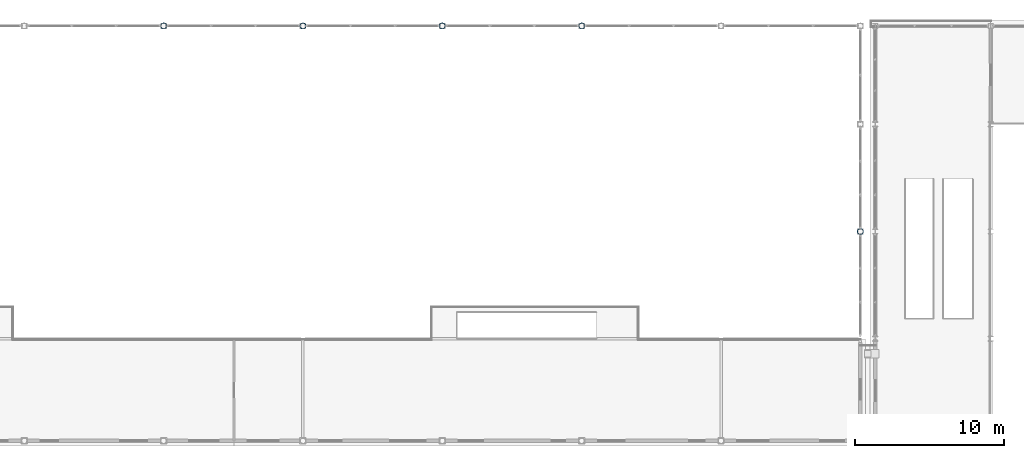
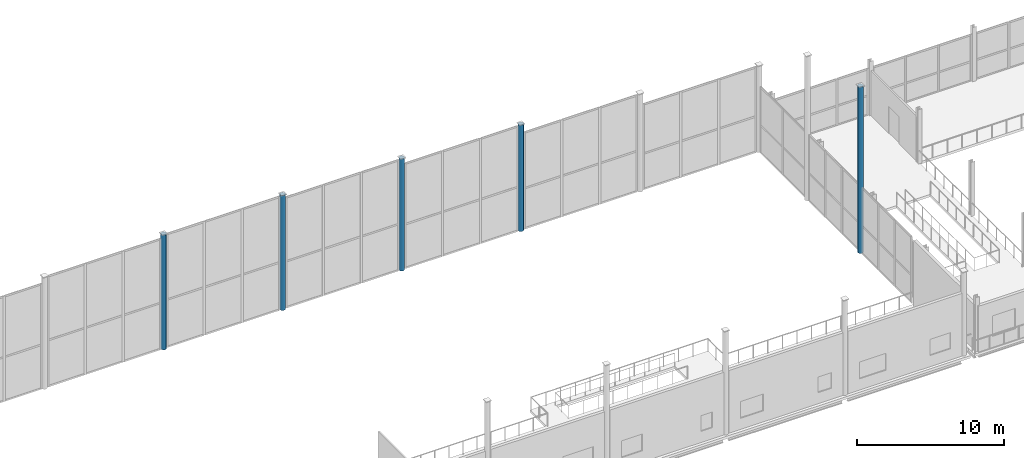
# One storey, part 8 of 77: 5 columns.
"""IFC4 building model written with IfcOpenShell, lengths in metres."""

from ifc_helpers import new_model, si_unit, direction, frame, origin, origin_2d, place, context, subcontext, project, spatial, hollow_circle, extrude, material, material_profile, profile_set, type_object, element, save


model = new_model("IFC4")

# Units and contexts
model_context = context("Model", 3, precision=1e-05, world=origin(), true_north=direction((0.0, 1.0)))
body_context = subcontext(model_context, "Body", "Model", "MODEL_VIEW")
ifc_project = project(units=[si_unit("LENGTHUNIT", "METRE"), si_unit("AREAUNIT", "SQUARE_METRE"), si_unit("VOLUMEUNIT", "CUBIC_METRE"), si_unit("PLANEANGLEUNIT", "RADIAN"), si_unit("MASSUNIT", "GRAM", prefix="KILO")], contexts=[model_context])

# Site, building, storey
site_placement = place(None, origin())
site = spatial("IfcSite", under=ifc_project, at=site_placement, CompositionType="ELEMENT")
building_placement = place(site_placement, origin())
building = spatial("IfcBuilding", under=site, at=building_placement, Name="Quillay Park Conservatory", CompositionType="ELEMENT")
storey_placement = place(building_placement, frame((0.0, 0.0, 5.39990234375)))
storey = spatial("IfcBuildingStorey", under=building, at=storey_placement, Name="L01", CompositionType="ELEMENT", Elevation=5.39990234375)

# Columns
ifc_material = material(Name="Steel S355J2H", Category="steel")
ifc_material_profile = material_profile(ifc_material, hollow_circle(Radius=0.203125, WallThickness=0.01611328125, at=origin_2d()), Name="CHS406.4x16")
ifc_profile_set = profile_set([ifc_material_profile], Name="Steel S355J2H")
column_type = type_object("IfcColumnType", Name="COMPOSITE STEEL COLUMN CHS406", PredefinedType="COLUMN", material=ifc_profile_set)
for number, where, z_axis, x_axis, name in (
    (1, (68.072265625, 113.39990234375, 0.0), (0.0, 0.0, 1.0), (1.0, 0.0, 0.0), "L01 column COL-V1-L01-4-1"),
    (2, (77.427734375, 113.39990234375, 0.0), (0.0, 0.0, 1.0), (1.0, 0.0, 0.0), "L01 column COL-V1-L01-5-1"),
):
    element("IfcColumn", number, at=place(storey_placement, frame(where, z_axis=z_axis, x_axis=x_axis)), inside=storey, type_object=column_type, Name=name, PredefinedType="COLUMN", context=body_context, shape_type="SweptSolid", body=[
        extrude(hollow_circle(Radius=0.203125, WallThickness=0.01611328125, at=origin_2d()), origin(), (0.0, 0.0, 1.0), 9.536376953125),
    ])
column_1_placement = place(storey_placement, frame((86.783203125, 113.39990234375, 0.0), z_axis=(0.0, 0.0, 1.0), x_axis=(1.0, 0.0, 0.0)))
element("IfcColumn", 3, at=column_1_placement, inside=storey, type_object=column_type, Name="L01 column COL-V1-L01-6-1", PredefinedType="COLUMN", context=body_context, shape_type="SweptSolid", body=[
    extrude(hollow_circle(Radius=0.203125, WallThickness=0.01611328125, at=origin_2d()), origin(), (0.0, 0.0, 1.0), 9.302001953125),
])
column_2_placement = place(storey_placement, frame((96.138916015625, 113.39990234375, 0.0), z_axis=(0.0, 0.0, 1.0), x_axis=(1.0, 0.0, 0.0)))
element("IfcColumn", 4, at=column_2_placement, inside=storey, type_object=column_type, Name="L01 column COL-V1-L01-7-1", PredefinedType="COLUMN", context=body_context, shape_type="SweptSolid", body=[
    extrude(hollow_circle(Radius=0.203125, WallThickness=0.01611328125, at=origin_2d()), origin(), (0.0, 0.0, 1.0), 8.837158203125),
])
column_3_placement = place(storey_placement, frame((114.85009765625, 99.60009765625, 0.0), z_axis=(0.0, 0.0, 1.0), x_axis=(1.0, 0.0, 0.0)))
element("IfcColumn", 5, at=column_3_placement, inside=storey, type_object=column_type, Name="L01 column COL-V1E-L01-E-0", PredefinedType="COLUMN", context=body_context, shape_type="SweptSolid", body=[
    extrude(hollow_circle(Radius=0.203125, WallThickness=0.01611328125, at=origin_2d()), origin(), (0.0, 0.0, 1.0), 13.817626953125),
])

save(model, "model.ifc")
